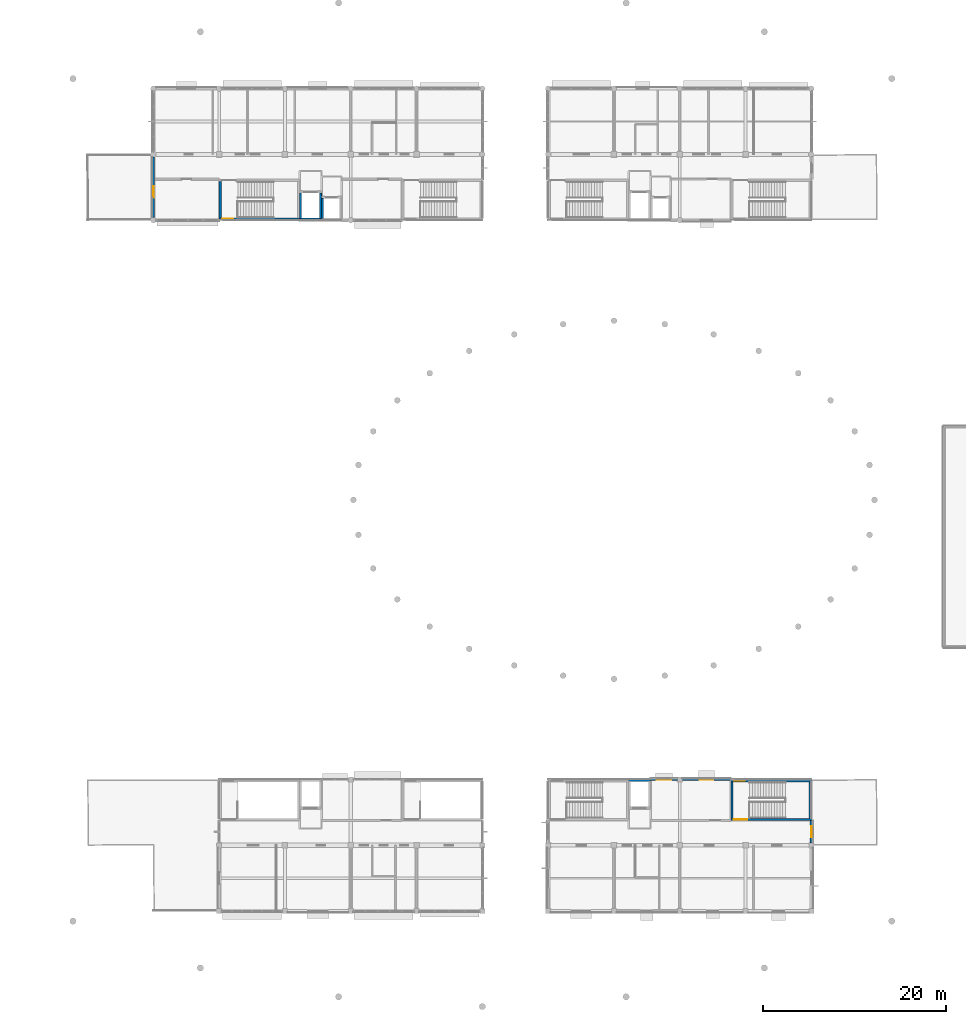
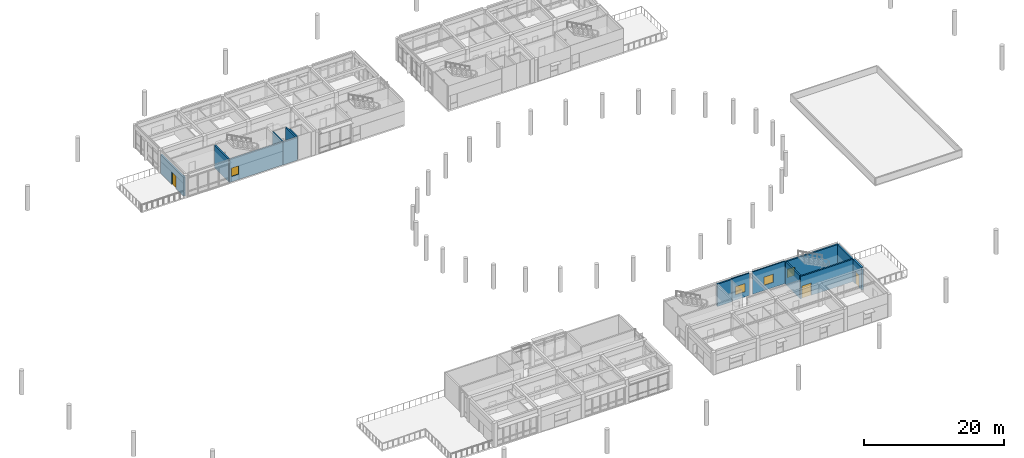
# One storey, part 20 of 41: 15 walls, 4 windows, 3 doors, 7 openings.
"""IFC4 building model written with IfcOpenShell, lengths in metres."""

import ifcopenshell
import ifcopenshell.guid

model = None  # the IFC model being written
_history = None  # IfcOwnerHistory: only IFC2X3 demands one
_inside = {}  # id of a spatial element -> (the spatial element, [elements in it])
_under = {}  # id of a project, library or spatial element -> (it, [spatial elements below it])
_declared = {}  # id of a project -> (the project, [libraries it declares])
_typed = {}  # id of a type object -> (the type object, [elements of that type])
_made_of = {}  # id of a material, layer set ... -> (it, [elements and type objects made of it])


def new_model(schema):
    """Start an empty IFC model of exactly this schema.

    Asked for "IFC4X3", IfcOpenShell would pick the latest addendum, in which some entities
    have other attributes; the version numbers below select the first issue.
    IFC2X3 requires an IfcOwnerHistory on every rooted entity: one is made here for all.
    """
    global model, _history
    if schema == "IFC4X3":
        model = ifcopenshell.file(schema_version=(4, 3, 0, 0))
    else:
        model = ifcopenshell.file(schema=schema)
    _inside.clear()
    _under.clear()
    _declared.clear()
    _typed.clear()
    _made_of.clear()
    _history = None
    if model.schema == "IFC2X3":
        org = make("IfcOrganization", Name="unknown")
        user = make(
            "IfcPersonAndOrganization",
            ThePerson=make("IfcPerson", FamilyName="unknown"),
            TheOrganization=org,
        )
        app = make(
            "IfcApplication",
            ApplicationDeveloper=org,
            Version="unknown",
            ApplicationFullName="unknown",
            ApplicationIdentifier="unknown",
        )
        _history = make(
            "IfcOwnerHistory",
            OwningUser=user,
            OwningApplication=app,
            ChangeAction="ADDED",
            CreationDate=0,
        )
    return model


def make(cls, **values):
    """One entity of the class cls with the attributes given. An attribute that is None is left unset."""
    return model.create_entity(
        cls, **{name: value for name, value in values.items() if value is not None}
    )


def rooted(cls, **values):
    """An entity with a GlobalId (a new one), such as an element, a storey or a relation."""
    return make(cls, GlobalId=ifcopenshell.guid.new(), OwnerHistory=_history, **values)


def si_unit(unit_type, name, prefix=None):
    """IfcSIUnit, for example si_unit("LENGTHUNIT", "METRE", prefix="MILLI")."""
    return make("IfcSIUnit", UnitType=unit_type, Prefix=prefix, Name=name)


def assignment(units):
    """IfcUnitAssignment: the units of a project."""
    return None if units is None else make("IfcUnitAssignment", Units=units)


def point(xyz):
    """IfcCartesianPoint."""
    return None if xyz is None else make("IfcCartesianPoint", Coordinates=xyz)


def direction(xyz):
    """IfcDirection."""
    return None if xyz is None else make("IfcDirection", DirectionRatios=xyz)


def frame(location, z_axis=None, x_axis=None):
    """IfcAxis2Placement3D, a coordinate frame: its origin and axes. An axis left out is left unset."""
    return make(
        "IfcAxis2Placement3D",
        Location=point(location),
        Axis=direction(z_axis),
        RefDirection=direction(x_axis),
    )


def frame_2d(location, x_axis=None):
    """IfcAxis2Placement2D, a coordinate frame in the plane: its origin and x axis."""
    return make(
        "IfcAxis2Placement2D", Location=point(location), RefDirection=direction(x_axis)
    )


def origin():
    """The frame at (0, 0, 0) with its axes left unset."""
    return frame((0.0, 0.0, 0.0))


def place(relative_to, where):
    """IfcLocalPlacement: puts the frame where relative to a parent placement (None: the world)."""
    return make(
        "IfcLocalPlacement", PlacementRelTo=relative_to, RelativePlacement=where
    )


def context(
    kind, dimensions, precision=None, world=None, true_north=None, identifier=None
):
    """IfcGeometricRepresentationContext, for example the 3D "Model" context."""
    return make(
        "IfcGeometricRepresentationContext",
        ContextIdentifier=identifier,
        ContextType=kind,
        CoordinateSpaceDimension=dimensions,
        Precision=precision,
        WorldCoordinateSystem=world,
        TrueNorth=true_north,
    )


def subcontext(parent, identifier, kind, view, scale=None):
    """IfcGeometricRepresentationSubContext, for example "Body" below "Model"."""
    return make(
        "IfcGeometricRepresentationSubContext",
        ContextIdentifier=identifier,
        ContextType=kind,
        ParentContext=parent,
        TargetScale=scale,
        TargetView=view,
    )


def project(units=None, contexts=None):
    """IfcProject with its units and contexts."""
    return rooted(
        "IfcProject",
        Name="project",
        RepresentationContexts=contexts,
        UnitsInContext=assignment(units),
    )


def spatial(cls, under=None, at=None, **own):
    """A site, building, storey or space (cls), placed at a placement, below another one or the project."""
    s = rooted(cls, ObjectPlacement=at, **own)
    if under is not None:
        _under.setdefault(under.id(), (under, []))[1].append(s)
    return s


def profile(cls, at=None, kind="AREA", **sizes):
    """A parametric profile (cls). Its sizes go by their IFC names, for example OverallWidth=200.0."""
    return make(cls, ProfileType=kind, Position=at, **sizes)


def rectangle(**sizes):
    """IfcRectangleProfileDef."""
    return profile("IfcRectangleProfileDef", **sizes)


def extrude(swept, where, along, depth):
    """IfcExtrudedAreaSolid: the profile swept, set in the frame where, extruded along a direction by depth."""
    return make(
        "IfcExtrudedAreaSolid",
        SweptArea=swept,
        Position=where,
        ExtrudedDirection=direction(along),
        Depth=depth,
    )


def shape(context_of_items, identifier, shape_type, items):
    """IfcShapeRepresentation: the items that make up one representation, for example the "Body"."""
    return make(
        "IfcShapeRepresentation",
        ContextOfItems=context_of_items,
        RepresentationIdentifier=identifier,
        RepresentationType=shape_type,
        Items=items,
    )


def material(Name=None, Category=None):
    """IfcMaterial."""
    return make("IfcMaterial", Name=Name, Category=Category)


def layer(
    of_material, thickness, ventilated=None, Name=None, Category=None, Priority=None
):
    """IfcMaterialLayer: one layer of a wall or slab, of a material (None: an air gap)."""
    return make(
        "IfcMaterialLayer",
        Material=of_material,
        LayerThickness=thickness,
        IsVentilated=ventilated,
        Name=Name,
        Category=Category,
        Priority=Priority,
    )


def layer_set(layers, Name=None):
    """IfcMaterialLayerSet."""
    return make("IfcMaterialLayerSet", MaterialLayers=layers, LayerSetName=Name)


def made_of(thing, what):
    """Note that an element or type object is made of a material, layer set ...; save() writes the relation."""
    if what is not None:
        _made_of.setdefault(what.id(), (what, []))[1].append(thing)
    return thing


def type_object(cls, material=None, **own):
    """A type object (cls), such as IfcWallType, which elements share."""
    return made_of(rooted(cls, **own), material)


def element(
    cls,
    number,
    at=None,
    inside=None,
    cuts=None,
    type_object=None,
    material=None,
    context=None,
    identifier="Body",
    shape_type=None,
    held_by="IfcProductDefinitionShape",
    body=None,
    shapes=None,
    **own,
):
    """One element of the class cls, such as IfcWall. Its Tag is "e" and its number.

    at: its placement. inside: the storey or other place that contains it. cuts: it is an
    opening in that element (IfcRelVoidsElement). A single representation is given by context,
    identifier, shape_type and body (its items); several are given by shapes. held_by: the class
    of the entity that holds the representations. save() writes the other relations.
    """
    e = rooted(cls, Tag="e%d" % number, ObjectPlacement=at, **own)
    if body is not None:
        shapes = [shape(context, identifier, shape_type, body)]
    if shapes is not None:
        e.Representation = make(held_by, Representations=shapes)
    if inside is not None:
        _inside.setdefault(inside.id(), (inside, []))[1].append(e)
    if cuts is not None:
        rooted(
            "IfcRelVoidsElement", RelatingBuildingElement=cuts, RelatedOpeningElement=e
        )
    if type_object is not None:
        _typed.setdefault(type_object.id(), (type_object, []))[1].append(e)
    return made_of(e, material)


def fill(opening, filler):
    """IfcRelFillsElement: the door or window that sits in an opening."""
    return rooted(
        "IfcRelFillsElement",
        RelatingOpeningElement=opening,
        RelatedBuildingElement=filler,
    )


def aggregate(whole, parts):
    """IfcRelAggregates: a whole, such as a stair, and the parts it consists of."""
    return rooted("IfcRelAggregates", RelatingObject=whole, RelatedObjects=parts)


def save(model, path):
    """Write the relations noted so far, then the file.

    IfcRelAggregates (storeys below a building ...), IfcRelContainedInSpatialStructure (elements
    in a storey), IfcRelDefinesByType, IfcRelAssociatesMaterial and IfcRelDeclares: one each for
    every whole, place, type object, material and project.
    """
    for whole, parts in _under.values():
        aggregate(whole, parts)
    for where, things in _inside.values():
        rooted(
            "IfcRelContainedInSpatialStructure",
            RelatedElements=things,
            RelatingStructure=where,
        )
    for kind, things in _typed.values():
        rooted("IfcRelDefinesByType", RelatedObjects=things, RelatingType=kind)
    for what, things in _made_of.values():
        rooted("IfcRelAssociatesMaterial", RelatedObjects=things, RelatingMaterial=what)
    for by, libraries in _declared.values():
        rooted("IfcRelDeclares", RelatingContext=by, RelatedDefinitions=libraries)
    model.write(path)


model = new_model("IFC4")

# Units and contexts
model_context = context("Model", 3, precision=1e-05, world=origin(), true_north=direction((0.0, 1.0)))
body_context = subcontext(model_context, "Body", "Model", "MODEL_VIEW")
ifc_project = project(units=[si_unit("LENGTHUNIT", "METRE"), si_unit("AREAUNIT", "SQUARE_METRE"), si_unit("VOLUMEUNIT", "CUBIC_METRE"), si_unit("PLANEANGLEUNIT", "RADIAN"), si_unit("MASSUNIT", "GRAM", prefix="KILO")], contexts=[model_context])

# Site, building, storey
site_placement = place(None, origin())
site = spatial("IfcSite", under=ifc_project, at=site_placement, CompositionType="ELEMENT")
building_placement = place(site_placement, origin())
building = spatial("IfcBuilding", under=site, at=building_placement, Name="Namkhue Oval Health Centre", CompositionType="ELEMENT")
storey_placement = place(building_placement, frame((0.0, 0.0, 13.800048828125)))
storey = spatial("IfcBuildingStorey", under=building, at=storey_placement, Name="L03", CompositionType="ELEMENT", Elevation=13.800048828125)

# Wall, opening, window
ifc_material_1 = material(Name="Autoclaved aerated concrete blockwork M7.5", Category="masonry")
ifc_layer_1 = layer(ifc_material_1, 0.179931640625)
ifc_layer_set_1 = layer_set([ifc_layer_1], Name="Autoclaved aerated concrete blockwork M7.5")
wall_type_1 = type_object("IfcWallType", Name="EXTERIOR ENVELOPE WALL 180", PredefinedType="STANDARD", material=ifc_layer_set_1)
wall_1_placement = place(storey_placement, frame((113.597900390625, 28.800048828125, 0.0), z_axis=(0.0, 0.0, 1.0), x_axis=(-1.0, 0.0, 0.0)))
wall_1 = element("IfcWall", 1, at=wall_1_placement, inside=storey, type_object=wall_type_1, Name="Volume V5 L03 Exterior Envelope Wall 145", PredefinedType="STANDARD", context=body_context, shape_type="SweptSolid", body=[
    extrude(rectangle(XDim=5.326904296875, YDim=0.179931640625, at=frame_2d((2.66357421875, 0.0))), origin(), (0.0, 0.0, 1.0), 3.8798828125),
])
opening_1_placement = place(wall_1_placement, frame((1.91357421875, 0.0, 0.89990234375)))
opening_1 = element("IfcOpeningElement", 2, at=opening_1_placement, cuts=wall_1, Name="Opening WN-15", PredefinedType="OPENING", context=body_context, shape_type="SweptSolid", body=[
    extrude(rectangle(XDim=1.5, YDim=1.419921875, at=frame_2d((0.75, 0.7099609375))), frame((0.0, 0.099853515625, 0.0), z_axis=(0.0, -1.0, 0.0), x_axis=(1.0, 0.0, 0.0)), (0.0, 0.0, 1.0), 0.199951171875),
])
ifc_material_2 = material(Name="Thermally broken low-E laminated double glazing", Category="glass")
window_type_1 = type_object("IfcWindowType", Name="EXTERIOR WINDOW 1500X1420", PartitioningType="SINGLE_PANEL", PredefinedType="WINDOW", material=ifc_material_2)
window_1_placement = place(opening_1_placement, origin())
window_1 = element("IfcWindow", 3, at=window_1_placement, inside=storey, type_object=window_type_1, Name="Volume V5 L03 Exterior Window 105", OverallHeight=1.419921875, OverallWidth=1.5, PartitioningType="SINGLE_PANEL", PredefinedType="WINDOW", context=body_context, shape_type="SweptSolid", body=[
    extrude(rectangle(XDim=1.5, YDim=1.419921875, at=frame_2d((0.75, 0.7099609375))), frame((0.0, 0.030029296875, 0.0), z_axis=(0.0, -1.0, 0.0), x_axis=(1.0, 0.0, 0.0)), (0.0, 0.0, 1.0), 0.06005859375),
])
fill(opening_1, window_1)

ifc_layer_2 = layer(ifc_material_1, 0.18994140625)
ifc_layer_set_2 = layer_set([ifc_layer_2], Name="Autoclaved aerated concrete blockwork M7.5")
wall_type_2 = type_object("IfcWallType", Name="EXTERIOR ENVELOPE WALL 190", PredefinedType="STANDARD", material=ifc_layer_set_2)
wall_2_placement = place(storey_placement, frame((107.72900390625, 28.800048828125, 0.0), z_axis=(0.0, 0.0, 1.0), x_axis=(-1.0, 0.0, 0.0)))
wall_2 = element("IfcWall", 4, at=wall_2_placement, inside=storey, type_object=wall_type_2, Name="Volume V5 L03 Exterior Envelope Wall 146", PredefinedType="STANDARD", context=body_context, shape_type="SweptSolid", body=[
    extrude(rectangle(XDim=2.927001953125, YDim=0.18994140625, at=frame_2d((1.46337890625, 0.0))), origin(), (0.0, 0.0, 1.0), 3.8798828125),
])
opening_2_placement = place(wall_2_placement, frame((0.66357421875, 0.0, 0.89990234375)))
opening_2 = element("IfcOpeningElement", 5, at=opening_2_placement, cuts=wall_2, Name="Opening WN-16", PredefinedType="OPENING", context=body_context, shape_type="SweptSolid", body=[
    extrude(rectangle(XDim=1.60009765625, YDim=1.419921875, at=frame_2d((0.800048828125, 0.7099609375))), frame((0.0, 0.10498046875, 0.0), z_axis=(0.0, -1.0, 0.0), x_axis=(1.0, 0.0, 0.0)), (0.0, 0.0, 1.0), 0.2099609375),
])
window_type_2 = type_object("IfcWindowType", Name="EXTERIOR WINDOW 1600X1420", PartitioningType="SINGLE_PANEL", PredefinedType="WINDOW", material=ifc_material_2)
window_2_placement = place(opening_2_placement, origin())
window_2 = element("IfcWindow", 6, at=window_2_placement, inside=storey, type_object=window_type_2, Name="Volume V5 L03 Exterior Window 106", OverallHeight=1.419921875, OverallWidth=1.60009765625, PartitioningType="SINGLE_PANEL", PredefinedType="WINDOW", context=body_context, shape_type="SweptSolid", body=[
    extrude(rectangle(XDim=1.60009765625, YDim=1.419921875, at=frame_2d((0.800048828125, 0.7099609375))), frame((0.0, 0.030029296875, 0.0), z_axis=(0.0, -1.0, 0.0), x_axis=(1.0, 0.0, 0.0)), (0.0, 0.0, 1.0), 0.06005859375),
])
fill(opening_2, window_2)

# Wall, opening, door
ifc_layer_3 = layer(ifc_material_1, 0.27001953125)
ifc_layer_set_3 = layer_set([ifc_layer_3], Name="Autoclaved aerated concrete blockwork M7.5")
wall_type_3 = type_object("IfcWallType", Name="EXTERIOR ENVELOPE WALL 270", PredefinedType="STANDARD", material=ifc_layer_set_3)
wall_3_placement = place(storey_placement, frame((50.39990234375, 96.905029296875, 0.0), z_axis=(0.0, 0.0, 1.0), x_axis=(0.0, -1.0, 0.0)))
wall_3 = element("IfcWall", 7, at=wall_3_placement, inside=storey, type_object=wall_type_3, Name="Volume V2 L03 Exterior Envelope Wall 42", PredefinedType="STANDARD", context=body_context, shape_type="SweptSolid", body=[
    extrude(rectangle(XDim=6.610107421875, YDim=0.27001953125, at=frame_2d((3.30517578125, 0.0))), origin(), (0.0, 0.0, 1.0), 3.294921875),
])
opening_3_placement = place(wall_3_placement, frame((3.1650390625, 0.0, 0.0)))
opening_3 = element("IfcOpeningElement", 8, at=opening_3_placement, cuts=wall_3, Name="Opening TD-03", PredefinedType="OPENING", context=body_context, shape_type="SweptSolid", body=[
    extrude(rectangle(XDim=1.280029296875, YDim=2.14990234375, at=frame_2d((0.64013671875, 1.074951171875))), frame((0.0, 0.14501953125, 0.0), z_axis=(0.0, -1.0, 0.0), x_axis=(1.0, 0.0, 0.0)), (0.0, 0.0, 1.0), 0.2900390625),
])
ifc_material_3 = material(Name="Anodised aluminium glazed entrance door", Category="aluminium")
door_type_1 = type_object("IfcDoorType", Name="TERRACE DOOR 1280X2150", OperationType="NOTDEFINED", PredefinedType="DOOR", material=ifc_material_3)
door_1_placement = place(opening_3_placement, frame((1.280029296875, 0.0, 0.0), z_axis=(0.0, 0.0, 1.0), x_axis=(-1.0, 0.0, 0.0)))
door_1 = element("IfcDoor", 9, at=door_1_placement, inside=storey, type_object=door_type_1, Name="Volume V2 L03 Roof Terrace Door 3", OperationType="SINGLE_SWING_LEFT", OverallHeight=2.14990234375, OverallWidth=1.280029296875, PredefinedType="DOOR", context=body_context, shape_type="SweptSolid", body=[
    extrude(rectangle(XDim=1.280029296875, YDim=2.14990234375, at=frame_2d((0.64013671875, 1.074951171875))), frame((0.0, 0.02490234375, 0.0), z_axis=(0.0, -1.0, 0.0), x_axis=(1.0, 0.0, 0.0)), (0.0, 0.0, 1.0), 0.050048828125),
])
fill(opening_3, door_1)

ifc_layer_4 = layer(ifc_material_1, 0.330078125)
ifc_layer_set_4 = layer_set([ifc_layer_4], Name="Autoclaved aerated concrete blockwork M7.5")
wall_type_4 = type_object("IfcWallType", Name="EXTERIOR ENVELOPE WALL 330", PredefinedType="STANDARD", material=ifc_layer_set_4)
wall_4_placement = place(storey_placement, frame((122.39990234375, 21.87109375, 0.0), z_axis=(0.0, 0.0, 1.0), x_axis=(0.0, 1.0, 0.0)))
wall_4 = element("IfcWall", 10, at=wall_4_placement, inside=storey, type_object=wall_type_4, Name="Volume V5 L03 Exterior Envelope Wall 144", PredefinedType="STANDARD", context=body_context, shape_type="SweptSolid", body=[
    extrude(rectangle(XDim=2.427001953125, YDim=0.330078125, at=frame_2d((1.21337890625, 0.0))), origin(), (0.0, 0.0, 1.0), 3.8798828125),
])
opening_4_placement = place(wall_4_placement, frame((0.633544921875, 0.0, 0.0)))
opening_4 = element("IfcOpeningElement", 11, at=opening_4_placement, cuts=wall_4, Name="Opening TD-05", PredefinedType="OPENING", context=body_context, shape_type="SweptSolid", body=[
    extrude(rectangle(XDim=1.159912109375, YDim=2.139892578125, at=frame_2d((0.580078125, 1.06982421875))), frame((0.0, 0.175048828125, 0.0), z_axis=(0.0, -1.0, 0.0), x_axis=(1.0, 0.0, 0.0)), (0.0, 0.0, 1.0), 0.35009765625),
])
door_type_2 = type_object("IfcDoorType", Name="TERRACE DOOR 1160X2140", OperationType="NOTDEFINED", PredefinedType="DOOR", material=ifc_material_3)
door_2_placement = place(opening_4_placement, frame((1.159912109375, 0.0, 0.0), z_axis=(0.0, 0.0, 1.0), x_axis=(-1.0, 0.0, 0.0)))
door_2 = element("IfcDoor", 12, at=door_2_placement, inside=storey, type_object=door_type_2, Name="Volume V5 L03 Roof Terrace Door 12", OperationType="SINGLE_SWING_LEFT", OverallHeight=2.139892578125, OverallWidth=1.159912109375, PredefinedType="DOOR", context=body_context, shape_type="SweptSolid", body=[
    extrude(rectangle(XDim=1.159912109375, YDim=2.139892578125, at=frame_2d((0.580078125, 1.06982421875))), frame((0.0, 0.02490234375, 0.0), z_axis=(0.0, -1.0, 0.0), x_axis=(1.0, 0.0, 0.0)), (0.0, 0.0, 1.0), 0.050048828125),
])
fill(opening_4, door_2)

# Wall, opening, window
ifc_material_4 = material(Name="Reinforced concrete C35/45 (TCVN B40)", Category="concrete")
ifc_layer_5 = layer(ifc_material_4, 0.25)
ifc_layer_set_5 = layer_set([ifc_layer_5], Name="Reinforced concrete C35/45 (TCVN B40)")
wall_type_5 = type_object("IfcWallType", Name="SHEAR CORE WALL EXT 250", PredefinedType="SHEAR", material=ifc_layer_set_5)
wall_5_placement = place(storey_placement, frame((57.60009765625, 90.125, 0.0), z_axis=(0.0, 0.0, 1.0), x_axis=(1.0, 0.0, 0.0)))
wall_5 = element("IfcWall", 13, at=wall_5_placement, inside=storey, type_object=wall_type_5, Name="Core SC-03 L03 Shear Wall S", PredefinedType="SHEAR", context=body_context, shape_type="SweptSolid", body=[
    extrude(rectangle(XDim=8.7998046875, YDim=0.25, at=frame_2d((4.39990234375, 0.0))), origin(), (0.0, 0.0, 1.0), 3.945068359375),
])
opening_5_placement = place(wall_5_placement, frame((0.35009765625, 0.0, 0.919921875)))
opening_5 = element("IfcOpeningElement", 14, at=opening_5_placement, cuts=wall_5, Name="Opening SWN-01", PredefinedType="OPENING", context=body_context, shape_type="SweptSolid", body=[
    extrude(rectangle(XDim=1.179931640625, YDim=1.47998046875, at=frame_2d((0.58984375, 0.739990234375))), frame((0.0, 0.135009765625, 0.0), z_axis=(0.0, -1.0, 0.0), x_axis=(1.0, 0.0, 0.0)), (0.0, 0.0, 1.0), 0.27001953125),
])
ifc_material_5 = material(Name="Fire-rated insulated safety double glazing", Category="glass")
window_type_3 = type_object("IfcWindowType", Name="EXTERIOR WINDOW STAIRWELL 1180X1480", PartitioningType="SINGLE_PANEL", PredefinedType="WINDOW", material=ifc_material_5)
window_3_placement = place(opening_5_placement, origin())
window_3 = element("IfcWindow", 15, at=window_3_placement, inside=storey, type_object=window_type_3, Name="Stair ST-03 L03 Stairwell Daylight Window", OverallHeight=1.47998046875, OverallWidth=1.179931640625, PartitioningType="SINGLE_PANEL", PredefinedType="WINDOW", context=body_context, shape_type="SweptSolid", body=[
    extrude(rectangle(XDim=1.179931640625, YDim=1.47998046875, at=frame_2d((0.58984375, 0.739990234375))), frame((0.0, 0.030029296875, 0.0), z_axis=(0.0, -1.0, 0.0), x_axis=(1.0, 0.0, 0.0)), (0.0, 0.0, 1.0), 0.06005859375),
])
fill(opening_5, window_3)

# Wall
wall_6_placement = place(storey_placement, frame((122.27490234375, 24.550048828125, 0.0), z_axis=(0.0, 0.0, 1.0), x_axis=(0.0, 1.0, 0.0)))
element("IfcWall", 16, at=wall_6_placement, inside=storey, type_object=wall_type_5, Name="Core SC-10 L03 Shear Wall E", PredefinedType="SHEAR", context=body_context, shape_type="SweptSolid", body=[
    extrude(rectangle(XDim=4.0, YDim=0.25, at=frame_2d((2.0, 0.0))), origin(), (0.0, 0.0, 1.0), 3.8798828125),
])

# Wall, opening, window
wall_7_placement = place(storey_placement, frame((122.39990234375, 28.675048828125, 0.0), z_axis=(0.0, 0.0, 1.0), x_axis=(-1.0, 0.0, 0.0)))
wall_7 = element("IfcWall", 17, at=wall_7_placement, inside=storey, type_object=wall_type_5, Name="Core SC-10 L03 Shear Wall N", PredefinedType="SHEAR", context=body_context, shape_type="SweptSolid", body=[
    extrude(rectangle(XDim=8.7998046875, YDim=0.25, at=frame_2d((4.39990234375, 0.0))), origin(), (0.0, 0.0, 1.0), 3.8798828125),
])
opening_6_placement = place(wall_7_placement, frame((7.27001953125, 0.0, 0.919921875)))
opening_6 = element("IfcOpeningElement", 18, at=opening_6_placement, cuts=wall_7, Name="Opening SWN-01", PredefinedType="OPENING", context=body_context, shape_type="SweptSolid", body=[
    extrude(rectangle(XDim=1.179931640625, YDim=1.47998046875, at=frame_2d((0.58984375, 0.739990234375))), frame((0.0, 0.135009765625, 0.0), z_axis=(0.0, -1.0, 0.0), x_axis=(1.0, 0.0, 0.0)), (0.0, 0.0, 1.0), 0.27001953125),
])
window_4_placement = place(opening_6_placement, origin())
window_4 = element("IfcWindow", 19, at=window_4_placement, inside=storey, type_object=window_type_3, Name="Stair ST-10 L03 Stairwell Daylight Window", OverallHeight=1.47998046875, OverallWidth=1.179931640625, PartitioningType="SINGLE_PANEL", PredefinedType="WINDOW", context=body_context, shape_type="SweptSolid", body=[
    extrude(rectangle(XDim=1.179931640625, YDim=1.47998046875, at=frame_2d((0.58984375, 0.739990234375))), frame((0.0, 0.030029296875, 0.0), z_axis=(0.0, -1.0, 0.0), x_axis=(1.0, 0.0, 0.0)), (0.0, 0.0, 1.0), 0.06005859375),
])
fill(opening_6, window_4)

# Walls
wall_8_placement = place(storey_placement, frame((66.39990234375, 90.10009765625, 0.0), z_axis=(0.0, 0.0, 1.0), x_axis=(1.0, 0.0, 0.0)))
element("IfcWall", 20, at=wall_8_placement, inside=storey, type_object=wall_type_5, Name="Lift LF-01 L03 Shaft Wall S", PredefinedType="SHEAR", context=body_context, shape_type="SweptSolid", body=[
    extrude(rectangle(XDim=2.400146484375, YDim=0.25, at=frame_2d((1.2001953125, 0.0))), origin(), (0.0, 0.0, 1.0), 3.945068359375),
])
wall_9_placement = place(storey_placement, frame((104.800048828125, 28.699951171875, 0.0), z_axis=(0.0, 0.0, 1.0), x_axis=(-1.0, 0.0, 0.0)))
element("IfcWall", 21, at=wall_9_placement, inside=storey, type_object=wall_type_5, Name="Lift LF-06 L03 Shaft Wall N", PredefinedType="SHEAR", context=body_context, shape_type="SweptSolid", body=[
    extrude(rectangle(XDim=2.400146484375, YDim=0.25, at=frame_2d((1.2001953125, 0.0))), origin(), (0.0, 0.0, 1.0), 3.8798828125),
])
ifc_layer_6 = layer(ifc_material_4, 0.199951171875)
ifc_layer_set_6 = layer_set([ifc_layer_6], Name="Reinforced concrete C35/45 (TCVN B40)")
wall_type_6 = type_object("IfcWallType", Name="SHEAR CORE WALL INT 200", PredefinedType="SHEAR", material=ifc_layer_set_6)
for number, where, z_axis, x_axis, name in (
    (22, (68.699951171875, 90.199951171875, 0.0), (0.0, 0.0, 1.0), (0.0, 1.0, 0.0), "Lift LF-01 L03 Shaft Wall E"),
    (23, (66.5, 93.0, 0.0), (0.0, 0.0, 1.0), (0.0, -1.0, 0.0), "Lift LF-01 L03 Shaft Wall W"),
):
    element("IfcWall", number, at=place(storey_placement, frame(where, z_axis=z_axis, x_axis=x_axis)), inside=storey, type_object=wall_type_6, Name=name, PredefinedType="SHEAR", context=body_context, shape_type="SweptSolid", body=[
        extrude(rectangle(XDim=2.800048828125, YDim=0.199951171875, at=frame_2d((1.39990234375, 0.0))), origin(), (0.0, 0.0, 1.0), 3.945068359375),
    ])
wall_10_placement = place(storey_placement, frame((68.89990234375, 92.39990234375, 0.0), z_axis=(0.0, 0.0, 1.0), x_axis=(0.0, -1.0, 0.0)))
element("IfcWall", 24, at=wall_10_placement, inside=storey, type_object=wall_type_6, Name="Lift LF-02 L03 Shaft Wall W", PredefinedType="SHEAR", context=body_context, shape_type="SweptSolid", body=[
    extrude(rectangle(XDim=2.199951171875, YDim=0.199951171875, at=frame_2d((1.10009765625, 0.0))), origin(), (0.0, 0.0, 1.0), 3.945068359375),
])
ifc_layer_7 = layer(ifc_material_4, 0.25)
ifc_layer_set_7 = layer_set([ifc_layer_7], Name="Reinforced concrete C35/45 (TCVN B40)")
wall_type_7 = type_object("IfcWallType", Name="SHEAR CORE WALL INT 250", PredefinedType="SHEAR", material=ifc_layer_set_7)
wall_11_placement = place(storey_placement, frame((57.72509765625, 94.25, 0.0), z_axis=(0.0, 0.0, 1.0), x_axis=(0.0, -1.0, 0.0)))
element("IfcWall", 25, at=wall_11_placement, inside=storey, type_object=wall_type_7, Name="Core SC-03 L03 Shear Wall W", PredefinedType="SHEAR", context=body_context, shape_type="SweptSolid", body=[
    extrude(rectangle(XDim=4.0, YDim=0.25, at=frame_2d((2.0, 0.0))), origin(), (0.0, 0.0, 1.0), 3.945068359375),
])

# Wall, opening, door
wall_12_placement = place(storey_placement, frame((113.60009765625, 24.425048828125, 0.0), z_axis=(0.0, 0.0, 1.0), x_axis=(1.0, 0.0, 0.0)))
wall_12 = element("IfcWall", 26, at=wall_12_placement, inside=storey, type_object=wall_type_7, Name="Core SC-10 L03 Shear Wall S", PredefinedType="SHEAR", context=body_context, shape_type="SweptSolid", body=[
    extrude(rectangle(XDim=8.7998046875, YDim=0.25, at=frame_2d((4.39990234375, 0.0))), origin(), (0.0, 0.0, 1.0), 3.8798828125),
])
opening_7_placement = place(wall_12_placement, frame((0.300048828125, 0.0, 0.0)))
opening_7 = element("IfcOpeningElement", 27, at=opening_7_placement, cuts=wall_12, Name="Opening SD-I1", PredefinedType="OPENING", context=body_context, shape_type="SweptSolid", body=[
    extrude(rectangle(XDim=1.5, YDim=2.14990234375, at=frame_2d((0.75, 1.074951171875))), frame((0.0, 0.135009765625, 0.0), z_axis=(0.0, -1.0, 0.0), x_axis=(1.0, 0.0, 0.0)), (0.0, 0.0, 1.0), 0.27001953125),
])
ifc_material_6 = material(Name="Powder-coated steel fire door assembly", Category="steel")
door_type_3 = type_object("IfcDoorType", Name="CLINICAL DOOR STAIR CORE 1500X2150", OperationType="DOUBLE_DOOR_SINGLE_SWING", PredefinedType="DOOR", material=ifc_material_6)
door_3_placement = place(opening_7_placement, origin())
door_3 = element("IfcDoor", 28, at=door_3_placement, inside=storey, type_object=door_type_3, Name="Stair ST-10 L03 Stair Enclosure Fire Door", OperationType="DOUBLE_DOOR_SINGLE_SWING", OverallHeight=2.14990234375, OverallWidth=1.5, PredefinedType="DOOR", context=body_context, shape_type="SweptSolid", body=[
    extrude(rectangle(XDim=1.5, YDim=2.14990234375, at=frame_2d((0.75, 1.074951171875))), frame((0.0, 0.02490234375, 0.0), z_axis=(0.0, -1.0, 0.0), x_axis=(1.0, 0.0, 0.0)), (0.0, 0.0, 1.0), 0.050048828125),
])
fill(opening_7, door_3)

# Wall
wall_13_placement = place(storey_placement, frame((113.72509765625, 28.550048828125, 0.0), z_axis=(0.0, 0.0, 1.0), x_axis=(0.0, -1.0, 0.0)))
element("IfcWall", 29, at=wall_13_placement, inside=storey, type_object=wall_type_7, Name="Core SC-10 L03 Shear Wall W", PredefinedType="SHEAR", context=body_context, shape_type="SweptSolid", body=[
    extrude(rectangle(XDim=4.0, YDim=0.25, at=frame_2d((2.0, 0.0))), origin(), (0.0, 0.0, 1.0), 3.8798828125),
])

save(model, "model.ifc")
